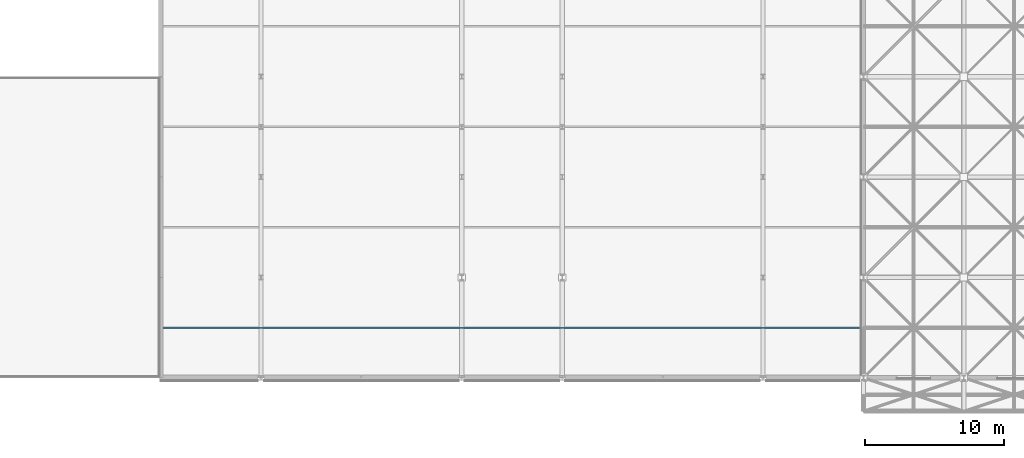
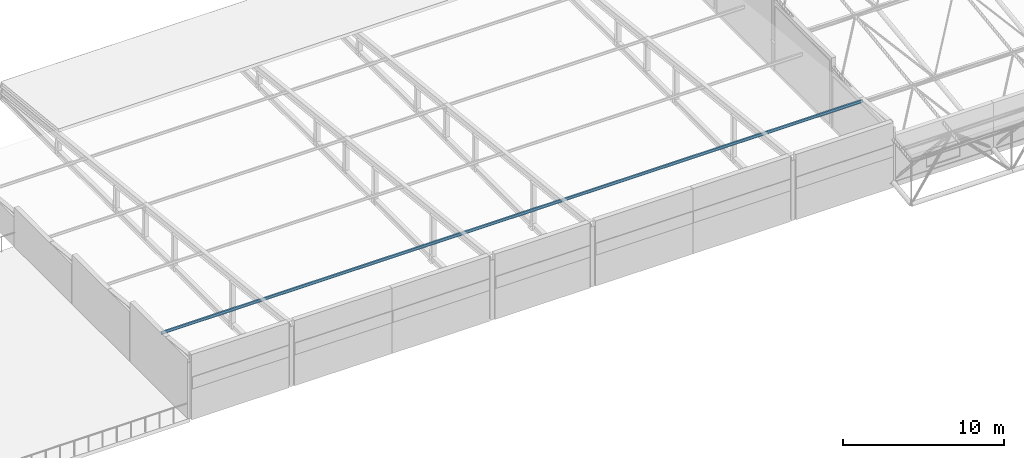
# One storey, part 21 of 103: 1 member.
"""IFC4 building model written with IfcOpenShell, lengths in metres."""

from ifc_helpers import new_model, si_unit, direction, frame, origin, origin_2d, place, context, subcontext, project, spatial, i_section, extrude, material, material_profile, profile_set, type_object, element, save


model = new_model("IFC4")

# Units and contexts
model_context = context("Model", 3, precision=1e-05, world=origin(), true_north=direction((0.0, 1.0)))
body_context = subcontext(model_context, "Body", "Model", "MODEL_VIEW")
ifc_project = project(units=[si_unit("LENGTHUNIT", "METRE"), si_unit("AREAUNIT", "SQUARE_METRE"), si_unit("VOLUMEUNIT", "CUBIC_METRE"), si_unit("PLANEANGLEUNIT", "RADIAN"), si_unit("MASSUNIT", "GRAM", prefix="KILO")], contexts=[model_context])

# Site, building, storey
site_placement = place(None, origin())
site = spatial("IfcSite", under=ifc_project, at=site_placement, CompositionType="ELEMENT")
building_placement = place(site_placement, origin())
building = spatial("IfcBuilding", under=site, at=building_placement, Name="Thalmaran Polytechnic", CompositionType="ELEMENT")
storey_placement = place(building_placement, frame((0.0, 0.0, 14.39990234375)))
storey = spatial("IfcBuildingStorey", under=building, at=storey_placement, Name="L03", CompositionType="ELEMENT", Elevation=14.39990234375)

# Member
ifc_material = material(Name="Steel S355", Category="steel")
ifc_material_profile = material_profile(ifc_material, i_section(OverallWidth=0.110107421875, OverallDepth=0.219970703125, WebThickness=0.005859375, FlangeThickness=0.00927734375, at=origin_2d()), Name="IPE 220")
ifc_profile_set = profile_set([ifc_material_profile], Name="Steel S355")
member_type = type_object("IfcMemberType", Name="MB-PUR1", PredefinedType="PURLIN", material=ifc_profile_set)
member_placement = place(storey_placement, frame((57.60009765625, 3.60009765625, 4.28515625), z_axis=(1.0, 0.0, 0.0), x_axis=(0.0, 1.0, 0.0)))
element("IfcMember", 1, at=member_placement, inside=storey, type_object=member_type, Name="Lecture Roof Purlin Y=3.6", PredefinedType="PURLIN", context=body_context, shape_type="SweptSolid", body=[
    extrude(i_section(OverallWidth=0.110107421875, OverallDepth=0.219970703125, WebThickness=0.005859375, FlangeThickness=0.00927734375, at=origin_2d()), origin(), (0.0, 0.0, 1.0), 50.39990234375),
])

save(model, "model.ifc")
